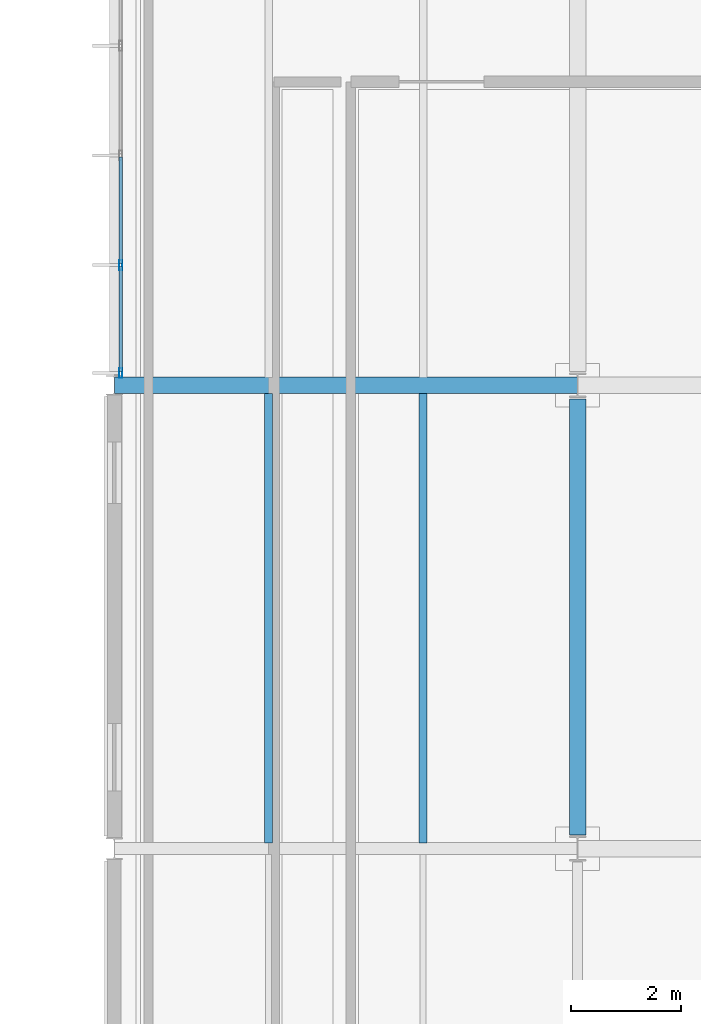
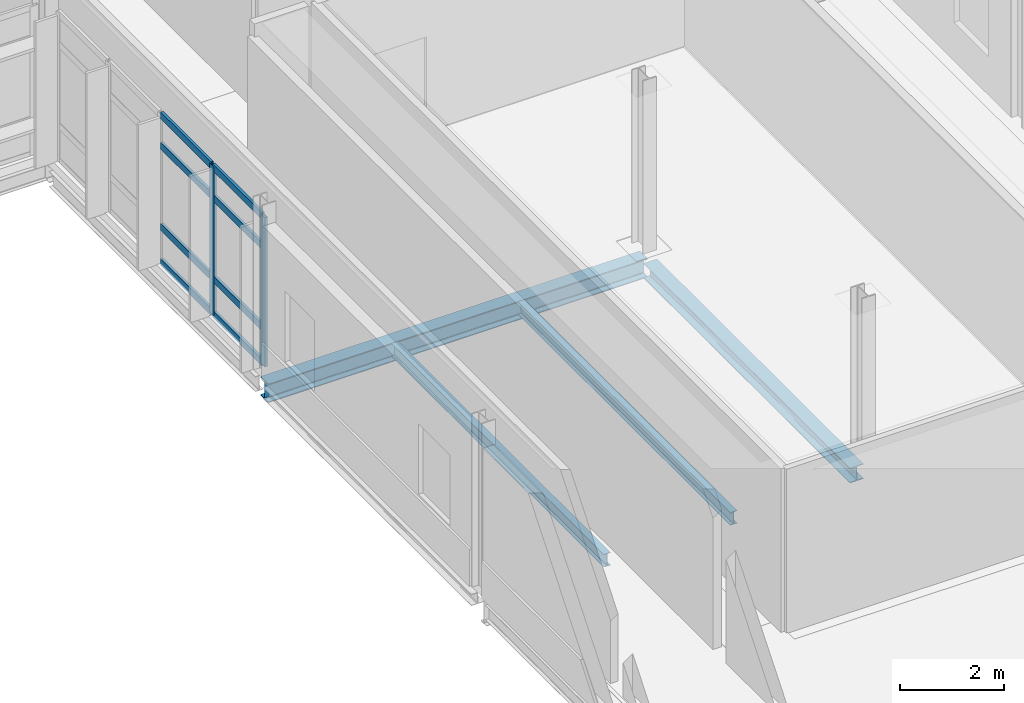
# One storey, part 93 of 151: 10 members, 4 beams, 1 element without a shape of its own.
"""IFC4 building model written with IfcOpenShell, lengths in metres."""

from ifc_helpers import new_model, si_unit, direction, frame, origin, origin_2d, place, context, subcontext, project, spatial, hollow_rectangle, i_section, extrude, material, material_profile, profile_set, type_object, element, aggregate, save


model = new_model("IFC4")

# Units and contexts
model_context = context("Model", 3, precision=1e-05, world=origin(), true_north=direction((0.0, 1.0)))
body_context = subcontext(model_context, "Body", "Model", "MODEL_VIEW")
ifc_project = project(units=[si_unit("LENGTHUNIT", "METRE"), si_unit("AREAUNIT", "SQUARE_METRE"), si_unit("VOLUMEUNIT", "CUBIC_METRE"), si_unit("PLANEANGLEUNIT", "RADIAN"), si_unit("MASSUNIT", "GRAM", prefix="KILO")], contexts=[model_context])

# Site, building, storey
site_placement = place(None, origin())
site = spatial("IfcSite", under=ifc_project, at=site_placement, CompositionType="ELEMENT")
building_placement = place(site_placement, origin())
building = spatial("IfcBuilding", under=site, at=building_placement, Name="Mersafa Astral City Hall", CompositionType="ELEMENT")
storey_placement = place(building_placement, frame((0.0, 0.0, 9.89990234375)))
storey = spatial("IfcBuildingStorey", under=building, at=storey_placement, Name="L02", CompositionType="ELEMENT", Elevation=9.89990234375)

# Curtain wall, members
ifc_material_1 = material(Name="Anodised bronze aluminium framing", Category="aluminium")
curtain_wall_type = type_object("IfcCurtainWallType", Name="ENV-CW-3", PredefinedType="USERDEFINED", material=ifc_material_1)
curtain_wall_placement = place(storey_placement, origin())
curtain_wall = element("IfcCurtainWall", 1, at=curtain_wall_placement, inside=storey, type_object=curtain_wall_type, Name="L02 Unitised solar curtain wall 122", ObjectType="UNITISED CURTAIN WALL", PredefinedType="USERDEFINED")
ifc_material_profile_1 = material_profile(ifc_material_1, hollow_rectangle(XDim=0.06005859375, YDim=0.179931640625, WallThickness=0.00390625, at=origin_2d()), Name="RHS 60x180x4")
ifc_profile_set_1 = profile_set([ifc_material_profile_1], Name="Anodised bronze aluminium framing")
member_type_1 = type_object("IfcMemberType", Name="ENV-CW-MUL-1", PredefinedType="MULLION", material=ifc_profile_set_1)
member_1_placement = place(storey_placement, frame((159.719970703125, 94.57861328125, -0.001953125), z_axis=(0.0, 0.0, 1.0), x_axis=(1.0, 0.0, 0.0)))
member_1 = element("IfcMember", 2, at=member_1_placement, type_object=member_type_1, Name="CW-3 mullion 4", PredefinedType="MULLION", context=body_context, shape_type="SweptSolid", body=[
    extrude(hollow_rectangle(XDim=0.06005859375, YDim=0.179931640625, WallThickness=0.00390625, at=origin_2d()), origin(), (0.0, 0.0, 1.0), 3.489013671875),
])
member_2_placement = place(storey_placement, frame((159.719970703125, 92.6220703125, -0.001953125), z_axis=(0.0, 0.0, 1.0), x_axis=(1.0, 0.0, 0.0)))
member_2 = element("IfcMember", 3, at=member_2_placement, type_object=member_type_1, Name="CW-3 mullion 5", PredefinedType="MULLION", context=body_context, shape_type="SweptSolid", body=[
    extrude(hollow_rectangle(XDim=0.06005859375, YDim=0.179931640625, WallThickness=0.00390625, at=origin_2d()), origin(), (0.0, 0.0, 1.0), 3.489013671875),
])
ifc_material_profile_2 = material_profile(ifc_material_1, hollow_rectangle(XDim=0.06005859375, YDim=0.159912109375, WallThickness=0.00390625, at=origin_2d()), Name="RHS 60x160x4")
ifc_profile_set_2 = profile_set([ifc_material_profile_2], Name="Anodised bronze aluminium framing")
member_type_2 = type_object("IfcMemberType", Name="ENV-CW-TRN-2", PredefinedType="USERDEFINED", material=ifc_profile_set_2)
member_3_placement = place(storey_placement, frame((159.719970703125, 96.534912109375, 0.028076171875), z_axis=(0.0, -1.0, 0.0), x_axis=(1.0, 0.0, 0.0)))
member_3 = element("IfcMember", 4, at=member_3_placement, type_object=member_type_2, Name="CW-3 transom 3.1", ObjectType="TRANSOM", PredefinedType="USERDEFINED", context=body_context, shape_type="SweptSolid", body=[
    extrude(hollow_rectangle(XDim=0.06005859375, YDim=0.159912109375, WallThickness=0.00390625, at=origin_2d()), origin(), (0.0, 0.0, 1.0), 1.926513671875),
])
member_4_placement = place(storey_placement, frame((159.719970703125, 96.534912109375, 0.85009765625), z_axis=(0.0, -1.0, 0.0), x_axis=(1.0, 0.0, 0.0)))
member_4 = element("IfcMember", 5, at=member_4_placement, type_object=member_type_2, Name="CW-3 transom 3.2", ObjectType="TRANSOM", PredefinedType="USERDEFINED", context=body_context, shape_type="SweptSolid", body=[
    extrude(hollow_rectangle(XDim=0.06005859375, YDim=0.159912109375, WallThickness=0.00390625, at=origin_2d()), origin(), (0.0, 0.0, 1.0), 1.926513671875),
])
member_5_placement = place(storey_placement, frame((159.719970703125, 96.534912109375, 2.75), z_axis=(0.0, -1.0, 0.0), x_axis=(1.0, 0.0, 0.0)))
member_5 = element("IfcMember", 6, at=member_5_placement, type_object=member_type_2, Name="CW-3 transom 3.3", ObjectType="TRANSOM", PredefinedType="USERDEFINED", context=body_context, shape_type="SweptSolid", body=[
    extrude(hollow_rectangle(XDim=0.06005859375, YDim=0.159912109375, WallThickness=0.00390625, at=origin_2d()), origin(), (0.0, 0.0, 1.0), 1.926513671875),
])
member_6_placement = place(storey_placement, frame((159.719970703125, 96.534912109375, 3.45703125), z_axis=(0.0, -1.0, 0.0), x_axis=(1.0, 0.0, 0.0)))
member_6 = element("IfcMember", 7, at=member_6_placement, type_object=member_type_2, Name="CW-3 transom 3.4", ObjectType="TRANSOM", PredefinedType="USERDEFINED", context=body_context, shape_type="SweptSolid", body=[
    extrude(hollow_rectangle(XDim=0.06005859375, YDim=0.159912109375, WallThickness=0.00390625, at=origin_2d()), origin(), (0.0, 0.0, 1.0), 1.926513671875),
])
member_7_placement = place(storey_placement, frame((159.719970703125, 94.548583984375, 0.028076171875), z_axis=(0.0, -1.0, 0.0), x_axis=(1.0, 0.0, 0.0)))
member_7 = element("IfcMember", 8, at=member_7_placement, type_object=member_type_2, Name="CW-3 transom 4.1", ObjectType="TRANSOM", PredefinedType="USERDEFINED", context=body_context, shape_type="SweptSolid", body=[
    extrude(hollow_rectangle(XDim=0.06005859375, YDim=0.159912109375, WallThickness=0.00390625, at=origin_2d()), origin(), (0.0, 0.0, 1.0), 1.896484375),
])
member_8_placement = place(storey_placement, frame((159.719970703125, 94.548583984375, 0.85009765625), z_axis=(0.0, -1.0, 0.0), x_axis=(1.0, 0.0, 0.0)))
member_8 = element("IfcMember", 9, at=member_8_placement, type_object=member_type_2, Name="CW-3 transom 4.2", ObjectType="TRANSOM", PredefinedType="USERDEFINED", context=body_context, shape_type="SweptSolid", body=[
    extrude(hollow_rectangle(XDim=0.06005859375, YDim=0.159912109375, WallThickness=0.00390625, at=origin_2d()), origin(), (0.0, 0.0, 1.0), 1.896484375),
])
member_9_placement = place(storey_placement, frame((159.719970703125, 94.548583984375, 2.75), z_axis=(0.0, -1.0, 0.0), x_axis=(1.0, 0.0, 0.0)))
member_9 = element("IfcMember", 10, at=member_9_placement, type_object=member_type_2, Name="CW-3 transom 4.3", ObjectType="TRANSOM", PredefinedType="USERDEFINED", context=body_context, shape_type="SweptSolid", body=[
    extrude(hollow_rectangle(XDim=0.06005859375, YDim=0.159912109375, WallThickness=0.00390625, at=origin_2d()), origin(), (0.0, 0.0, 1.0), 1.896484375),
])
member_10_placement = place(storey_placement, frame((159.719970703125, 94.548583984375, 3.45703125), z_axis=(0.0, -1.0, 0.0), x_axis=(1.0, 0.0, 0.0)))
member_10 = element("IfcMember", 11, at=member_10_placement, type_object=member_type_2, Name="CW-3 transom 4.4", ObjectType="TRANSOM", PredefinedType="USERDEFINED", context=body_context, shape_type="SweptSolid", body=[
    extrude(hollow_rectangle(XDim=0.06005859375, YDim=0.159912109375, WallThickness=0.00390625, at=origin_2d()), origin(), (0.0, 0.0, 1.0), 1.896484375),
])
aggregate(curtain_wall, [member_1, member_2, member_3, member_4, member_5, member_6, member_7, member_8, member_9, member_10])

# Beams
ifc_material_2 = material(Name="Steel S355", Category="steel")
ifc_material_profile_3 = material_profile(ifc_material_2, i_section(OverallWidth=0.300048828125, OverallDepth=0.35009765625, WebThickness=0.010009765625, FlangeThickness=0.017578125, FilletRadius=0.027099609375, at=origin_2d()), Name="HEA 360")
ifc_profile_set_3 = profile_set([ifc_material_profile_3], Name="Steel S355")
beam_type_1 = type_object("IfcBeamType", Name="STR-BM-HEA360", PredefinedType="BEAM", material=ifc_profile_set_3)
beam_1_placement = place(storey_placement, frame((168.0, 84.2451171875, -0.375), z_axis=(0.0, 1.0, 0.0), x_axis=(-1.0, 0.0, 0.0)))
element("IfcBeam", 12, at=beam_1_placement, inside=storey, type_object=beam_type_1, Name="L02 Primary girder Y 20-10", PredefinedType="BEAM", context=body_context, shape_type="SweptSolid", body=[
    extrude(i_section(OverallWidth=0.300048828125, OverallDepth=0.35009765625, WebThickness=0.010009765625, FlangeThickness=0.017578125, FilletRadius=0.027099609375, at=origin_2d()), origin(), (0.0, 0.0, 1.0), 7.909912109375),
])
ifc_material_profile_4 = material_profile(ifc_material_2, i_section(OverallWidth=0.300048828125, OverallDepth=0.43994140625, WebThickness=0.011474609375, FlangeThickness=0.02099609375, FilletRadius=0.027099609375, at=origin_2d()), Name="HEA 450")
ifc_profile_set_4 = profile_set([ifc_material_profile_4], Name="Steel S355")
beam_type_2 = type_object("IfcBeamType", Name="STR-BM-HEA450", PredefinedType="BEAM", material=ifc_profile_set_4)
beam_2_placement = place(storey_placement, frame((159.60302734375, 92.39990234375, -0.419921875), z_axis=(1.0, 0.0, 0.0), x_axis=(0.0, 1.0, 0.0)))
element("IfcBeam", 13, at=beam_2_placement, inside=storey, type_object=beam_type_2, Name="L02 Primary girder X 19-11", PredefinedType="BEAM", context=body_context, shape_type="SweptSolid", body=[
    extrude(i_section(OverallWidth=0.300048828125, OverallDepth=0.43994140625, WebThickness=0.011474609375, FlangeThickness=0.02099609375, FilletRadius=0.027099609375, at=origin_2d()), origin(), (0.0, 0.0, 1.0), 8.39404296875),
])
ifc_material_profile_5 = material_profile(ifc_material_2, i_section(OverallWidth=0.14990234375, OverallDepth=0.300048828125, WebThickness=0.007080078125, FlangeThickness=0.0107421875, FilletRadius=0.014892578125, at=origin_2d()), Name="IPE 300")
ifc_profile_set_5 = profile_set([ifc_material_profile_5], Name="Steel S355")
beam_type_3 = type_object("IfcBeamType", Name="STR-BM-JOIST-IPE300", PredefinedType="JOIST", material=ifc_profile_set_5)
for number, where, z_axis, x_axis, name in (
    (14, (162.39990234375, 84.10498046875, -0.349853515625), (0.0, 1.0, 0.0), (-1.0, 0.0, 0.0), "L02 Composite secondary floor joist 530"),
    (15, (165.199951171875, 84.10498046875, -0.349853515625), (0.0, 1.0, 0.0), (-1.0, 0.0, 0.0), "L02 Composite secondary floor joist 531"),
):
    element("IfcBeam", number, at=place(storey_placement, frame(where, z_axis=z_axis, x_axis=x_axis)), inside=storey, type_object=beam_type_3, Name=name, PredefinedType="JOIST", context=body_context, shape_type="SweptSolid", body=[
        extrude(i_section(OverallWidth=0.14990234375, OverallDepth=0.300048828125, WebThickness=0.007080078125, FlangeThickness=0.0107421875, FilletRadius=0.014892578125, at=origin_2d()), origin(), (0.0, 0.0, 1.0), 8.14990234375),
    ])

save(model, "model.ifc")
